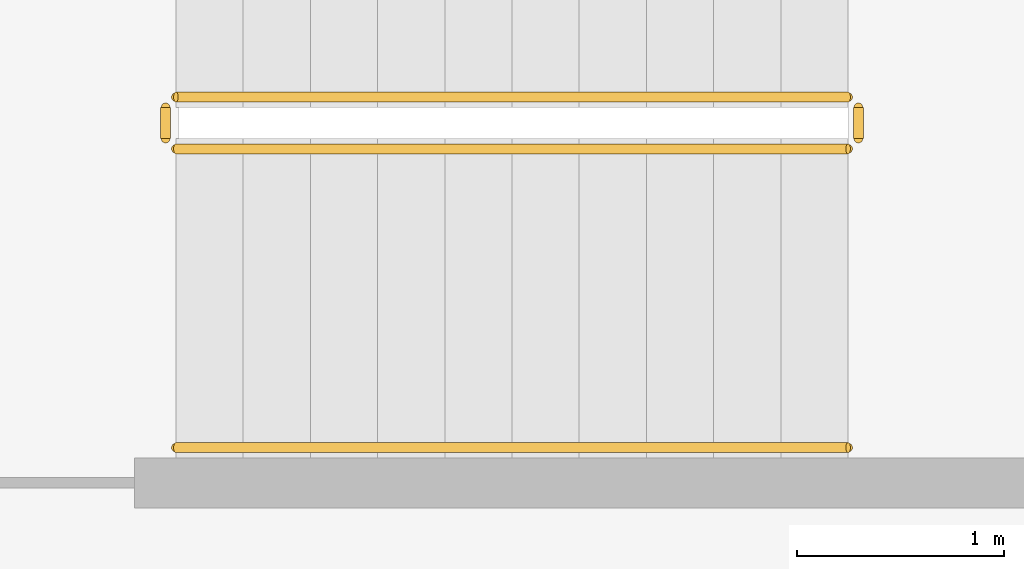
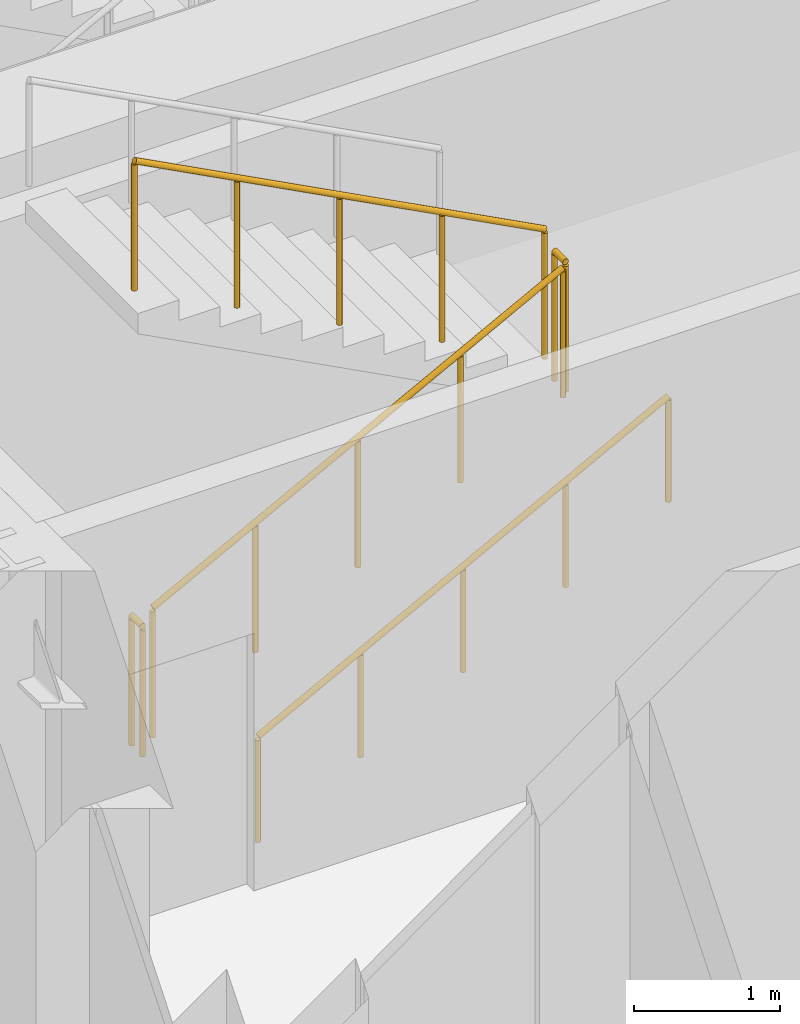
# One storey, part 12 of 15: 5 railings.
"""IFC4 building model written with IfcOpenShell, lengths in metres."""

from ifc_helpers import new_model, si_unit, direction, frame, origin, origin_2d, place, context, subcontext, project, spatial, circle, extrude, material, type_object, element, save


model = new_model("IFC4")

# Units and contexts
model_context = context("Model", 3, precision=1e-05, world=origin(), true_north=direction((0.0, 1.0)))
body_context = subcontext(model_context, "Body", "Model", "MODEL_VIEW")
ifc_project = project(units=[si_unit("LENGTHUNIT", "METRE"), si_unit("AREAUNIT", "SQUARE_METRE"), si_unit("VOLUMEUNIT", "CUBIC_METRE"), si_unit("PLANEANGLEUNIT", "RADIAN"), si_unit("MASSUNIT", "GRAM", prefix="KILO")], contexts=[model_context])

# Site, building, storey
site_placement = place(None, origin())
site = spatial("IfcSite", under=ifc_project, at=site_placement, CompositionType="ELEMENT")
building_placement = place(site_placement, origin())
building = spatial("IfcBuilding", under=site, at=building_placement, Name="Kolvaren Arena Tower", CompositionType="ELEMENT")
storey_placement = place(building_placement, frame((0.0, 0.0, 42.0)))
storey = spatial("IfcBuildingStorey", under=building, at=storey_placement, Name="L07", CompositionType="ELEMENT", Elevation=42.0)

# Railings
ifc_material_1 = material(Name="Painted galvanized steel", Category="steel")
railing_type_1 = type_object("IfcRailingType", Name="GUARD-ST-110", PredefinedType="GUARDRAIL", material=ifc_material_1)
railing_1_placement = place(storey_placement, frame((52.719970703125, 31.639892578125, 0.17041015625)))
element("IfcRailing", 1, at=railing_1_placement, inside=storey, type_object=railing_type_1, Name="L07 ST-E1 stair guard 1", PredefinedType="GUARDRAIL", context=body_context, shape_type="SweptSolid", body=[
    extrude(circle(Radius=0.02392578125, at=origin_2d()), frame((0.0, 0.0, 1.076171875), z_axis=(0.884993431791, 0.0, 0.465603506952), x_axis=(0.0, 1.0, 0.0)), (0.0, 0.0, 1.0), 3.6611328125),
    extrude(circle(Radius=0.02099609375, at=origin_2d()), origin(), (0.0, 0.0, 1.0), 1.052001953125),
    extrude(circle(Radius=0.02099609375, at=origin_2d()), frame((0.81005859375, 0.0, 0.42626953125)), (0.0, 0.0, 1.0), 1.052001953125),
    extrude(circle(Radius=0.02099609375, at=origin_2d()), frame((1.6201171875, 0.0, 0.852294921875)), (0.0, 0.0, 1.0), 1.052001953125),
    extrude(circle(Radius=0.02099609375, at=origin_2d()), frame((2.429931640625, 0.0, 1.2783203125)), (0.0, 0.0, 1.0), 1.052001953125),
    extrude(circle(Radius=0.02099609375, at=origin_2d()), frame((3.239990234375, 0.0, 1.70458984375)), (0.0, 0.0, 1.0), 1.052001953125),
])
railing_2_placement = place(storey_placement, frame((56.010009765625, 31.68994140625, 1.875)))
element("IfcRailing", 2, at=railing_2_placement, inside=storey, type_object=railing_type_1, Name="L07 ST-E1 stair guard 2", PredefinedType="GUARDRAIL", context=body_context, shape_type="SweptSolid", body=[
    extrude(circle(Radius=0.02392578125, at=origin_2d()), frame((0.0, 0.0, 1.076171875), z_axis=(0.0, 1.0, 0.0), x_axis=(-1.0, 0.0, 0.0)), (0.0, 0.0, 1.0), 0.150146484375),
    extrude(circle(Radius=0.02099609375, at=origin_2d()), origin(), (0.0, 0.0, 1.0), 1.052001953125),
    extrude(circle(Radius=0.02099609375, at=origin_2d()), frame((0.0, 0.150146484375, 0.0)), (0.0, 0.0, 1.0), 1.052001953125),
])
railing_3_placement = place(storey_placement, frame((55.9599609375, 31.889892578125, 2.04541015625)))
element("IfcRailing", 3, at=railing_3_placement, inside=storey, type_object=railing_type_1, Name="L07 ST-E1 stair guard 3", PredefinedType="GUARDRAIL", context=body_context, shape_type="SweptSolid", body=[
    extrude(circle(Radius=0.02392578125, at=origin_2d()), frame((0.0, 0.0, 1.076171875), z_axis=(-0.884993431791, 0.0, 0.465603506952), x_axis=(0.0, -1.0, 0.0)), (0.0, 0.0, 1.0), 3.6611328125),
    extrude(circle(Radius=0.02099609375, at=origin_2d()), origin(), (0.0, 0.0, 1.0), 1.052001953125),
    extrude(circle(Radius=0.02099609375, at=origin_2d()), frame((-0.81005859375, 0.0, 0.42626953125)), (0.0, 0.0, 1.0), 1.052001953125),
    extrude(circle(Radius=0.02099609375, at=origin_2d()), frame((-1.6201171875, 0.0, 0.852294921875)), (0.0, 0.0, 1.0), 1.052001953125),
    extrude(circle(Radius=0.02099609375, at=origin_2d()), frame((-2.429931640625, 0.0, 1.2783203125)), (0.0, 0.0, 1.0), 1.052001953125),
    extrude(circle(Radius=0.02099609375, at=origin_2d()), frame((-3.239990234375, 0.0, 1.70458984375)), (0.0, 0.0, 1.0), 1.052001953125),
])
railing_4_placement = place(storey_placement, frame((52.669921875, 31.68994140625, 0.0)))
element("IfcRailing", 4, at=railing_4_placement, inside=storey, type_object=railing_type_1, Name="L07 ST-E1 stair guard 4", PredefinedType="GUARDRAIL", context=body_context, shape_type="SweptSolid", body=[
    extrude(circle(Radius=0.02392578125, at=origin_2d()), frame((0.0, 0.0, 1.076171875), z_axis=(0.0, 1.0, 0.0), x_axis=(-1.0, 0.0, 0.0)), (0.0, 0.0, 1.0), 0.150146484375),
    extrude(circle(Radius=0.02099609375, at=origin_2d()), origin(), (0.0, 0.0, 1.0), 1.052001953125),
    extrude(circle(Radius=0.02099609375, at=origin_2d()), frame((0.0, 0.150146484375, 0.0)), (0.0, 0.0, 1.0), 1.052001953125),
])
ifc_material_2 = material(Name="Brushed stainless steel handrail", Category="steel")
railing_type_2 = type_object("IfcRailingType", Name="HRAIL-900", PredefinedType="HANDRAIL", material=ifc_material_2)
railing_5_placement = place(storey_placement, frame((52.719970703125, 30.199951171875, 0.17041015625)))
element("IfcRailing", 5, at=railing_5_placement, inside=storey, type_object=railing_type_2, Name="L07 ST-E1 stair handrail 1", PredefinedType="HANDRAIL", context=body_context, shape_type="SweptSolid", body=[
    extrude(circle(Radius=0.02392578125, at=origin_2d()), frame((0.0, 0.0, 0.8759765625), z_axis=(0.884993431791, 0.0, 0.465603506952), x_axis=(0.0, 1.0, 0.0)), (0.0, 0.0, 1.0), 3.6611328125),
    extrude(circle(Radius=0.02099609375, at=origin_2d()), origin(), (0.0, 0.0, 1.0), 0.851806640625),
    extrude(circle(Radius=0.02099609375, at=origin_2d()), frame((0.81005859375, 0.0, 0.42626953125)), (0.0, 0.0, 1.0), 0.851806640625),
    extrude(circle(Radius=0.02099609375, at=origin_2d()), frame((1.6201171875, 0.0, 0.852294921875)), (0.0, 0.0, 1.0), 0.851806640625),
    extrude(circle(Radius=0.02099609375, at=origin_2d()), frame((2.429931640625, 0.0, 1.2783203125)), (0.0, 0.0, 1.0), 0.851806640625),
    extrude(circle(Radius=0.02099609375, at=origin_2d()), frame((3.239990234375, 0.0, 1.70458984375)), (0.0, 0.0, 1.0), 0.851806640625),
])

save(model, "model.ifc")
